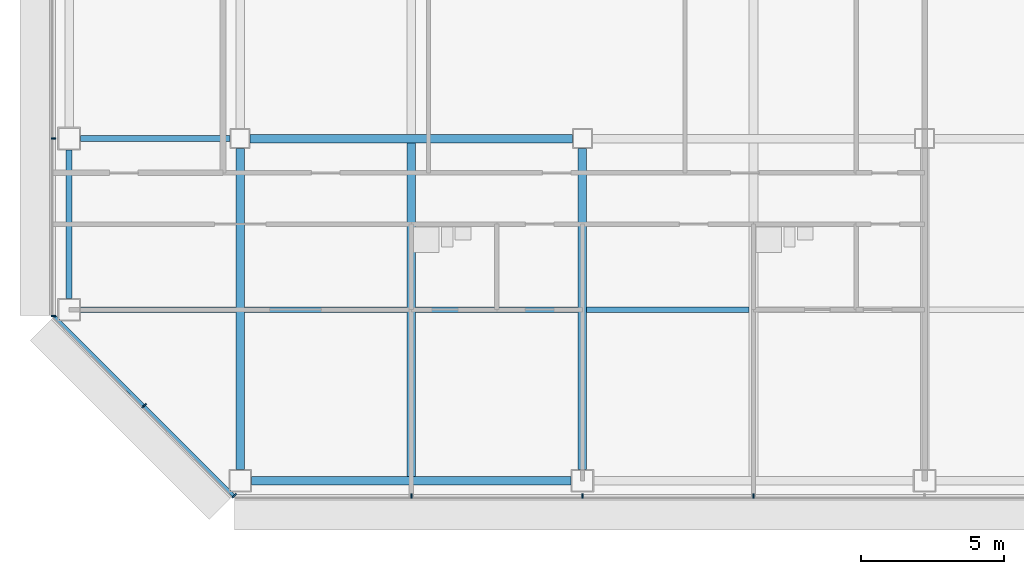
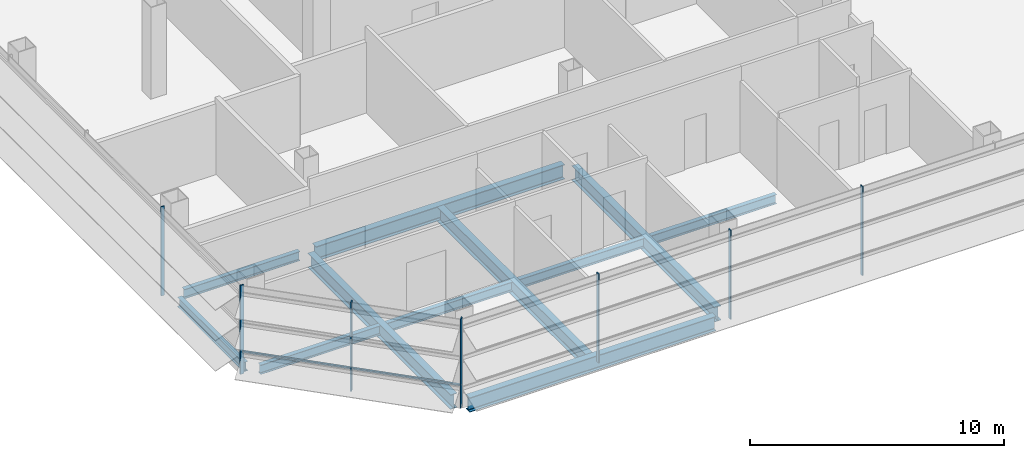
# One storey, part 2 of 28: 11 beams, 8 members, 3 elements without a shape of their own.
"""IFC4 building model written with IfcOpenShell, lengths in metres."""

from ifc_helpers import new_model, si_unit, direction, frame, origin, origin_2d, place, context, subcontext, project, spatial, rectangle, i_section, extrude, material, material_profile, profile_set, type_object, element, aggregate, save


model = new_model("IFC4")

# Units and contexts
model_context = context("Model", 3, precision=1e-05, world=origin(), true_north=direction((0.0, 1.0)))
body_context = subcontext(model_context, "Body", "Model", "MODEL_VIEW")
ifc_project = project(units=[si_unit("LENGTHUNIT", "METRE"), si_unit("AREAUNIT", "SQUARE_METRE"), si_unit("VOLUMEUNIT", "CUBIC_METRE"), si_unit("PLANEANGLEUNIT", "RADIAN"), si_unit("MASSUNIT", "GRAM", prefix="KILO")], contexts=[model_context])

# Site, building, storey
site_placement = place(None, origin())
site = spatial("IfcSite", under=ifc_project, at=site_placement, CompositionType="ELEMENT")
building_placement = place(site_placement, origin())
building = spatial("IfcBuilding", under=site, at=building_placement, Name="Sorahane Residences", CompositionType="ELEMENT")
storey_placement = place(building_placement, frame((0.0, 0.0, 134.0)))
storey = spatial("IfcBuildingStorey", under=building, at=storey_placement, Name="L30", CompositionType="ELEMENT", Elevation=134.0)

# Curtain wall, members
ifc_material_1 = material(Name="Dark low-e glass and black anodised aluminium", Category="aluminium")
curtain_wall_type_1 = type_object("IfcCurtainWallType", Name="Curtain wall CW-1 Typical unitised wall", PredefinedType="NOTDEFINED", material=ifc_material_1)
curtain_wall_1_placement = place(storey_placement, origin())
curtain_wall_1 = element("IfcCurtainWall", 1, at=curtain_wall_1_placement, inside=storey, type_object=curtain_wall_type_1, Name="CW-1 curtain wall L30 S1", PredefinedType="NOTDEFINED")
ifc_material_2 = material(Name="Black anodised aluminium", Category="aluminium")
ifc_material_profile_1 = material_profile(ifc_material_2, rectangle(XDim=0.159912109375, YDim=0.050048828125, at=origin_2d()), Name="Curtain wall mullion CW-1 black anodised aluminium 50x160")
ifc_profile_set_1 = profile_set([ifc_material_profile_1], Name="Black anodised aluminium")
member_type_1 = type_object("IfcMemberType", Name="Curtain wall mullion CW-1 black anodised aluminium 50x160", PredefinedType="MULLION", material=ifc_profile_set_1)
member_1_placement = place(storey_placement, frame((6.0, -0.5400390625, -0.179931640625), z_axis=(0.0, 0.0, 1.0), x_axis=(0.0, -1.0, 0.0)))
member_1 = element("IfcMember", 2, at=member_1_placement, type_object=member_type_1, Name="CW-1 mullion L30 S1.2", PredefinedType="MULLION", context=body_context, shape_type="SweptSolid", body=[
    extrude(rectangle(XDim=0.159912109375, YDim=0.050048828125, at=origin_2d()), origin(), (0.0, 0.0, 1.0), 4.280029296875),
])
member_2_placement = place(storey_placement, frame((12.0, -0.5400390625, -0.179931640625), z_axis=(0.0, 0.0, 1.0), x_axis=(0.0, -1.0, 0.0)))
member_2 = element("IfcMember", 3, at=member_2_placement, type_object=member_type_1, Name="CW-1 mullion L30 S1.3", PredefinedType="MULLION", context=body_context, shape_type="SweptSolid", body=[
    extrude(rectangle(XDim=0.159912109375, YDim=0.050048828125, at=origin_2d()), origin(), (0.0, 0.0, 1.0), 4.280029296875),
])
member_3_placement = place(storey_placement, frame((18.0, -0.5400390625, -0.179931640625), z_axis=(0.0, 0.0, 1.0), x_axis=(0.0, -1.0, 0.0)))
member_3 = element("IfcMember", 4, at=member_3_placement, type_object=member_type_1, Name="CW-1 mullion L30 S1.4", PredefinedType="MULLION", context=body_context, shape_type="SweptSolid", body=[
    extrude(rectangle(XDim=0.159912109375, YDim=0.050048828125, at=origin_2d()), origin(), (0.0, 0.0, 1.0), 4.280029296875),
])
aggregate(curtain_wall_1, [member_1, member_2, member_3])

curtain_wall_2_placement = place(storey_placement, origin())
curtain_wall_2 = element("IfcCurtainWall", 5, at=curtain_wall_2_placement, inside=storey, type_object=curtain_wall_type_1, Name="CW-1 curtain wall L30 W1", PredefinedType="NOTDEFINED")
member_4_placement = place(storey_placement, frame((-6.5400390625, 12.0, -0.179931640625), z_axis=(0.0, 0.0, 1.0), x_axis=(-1.0, 0.0, 0.0)))
member_4 = element("IfcMember", 6, at=member_4_placement, type_object=member_type_1, Name="CW-1 mullion L30 W1.6", PredefinedType="MULLION", context=body_context, shape_type="SweptSolid", body=[
    extrude(rectangle(XDim=0.159912109375, YDim=0.050048828125, at=origin_2d()), origin(), (0.0, 0.0, 1.0), 4.280029296875),
])
member_5_placement = place(storey_placement, frame((-6.5400390625, 5.7763671875, -0.179931640625), z_axis=(0.0, 0.0, 1.0), x_axis=(-1.0, 0.0, 0.0)))
member_5 = element("IfcMember", 7, at=member_5_placement, type_object=member_type_1, Name="CW-1 mullion L30 W1.7", PredefinedType="MULLION", context=body_context, shape_type="SweptSolid", body=[
    extrude(rectangle(XDim=0.159912109375, YDim=0.050048828125, at=origin_2d()), origin(), (0.0, 0.0, 1.0), 4.280029296875),
])
aggregate(curtain_wall_2, [member_4, member_5])

ifc_material_3 = material(Name="Dark low-e glass and black anodised aluminium", Category="aluminium")
curtain_wall_type_2 = type_object("IfcCurtainWallType", Name="Curtain wall CW-2 Chamfer unitised wall", PredefinedType="NOTDEFINED", material=ifc_material_3)
curtain_wall_3_placement = place(storey_placement, origin())
curtain_wall_3 = element("IfcCurtainWall", 8, at=curtain_wall_3_placement, inside=storey, type_object=curtain_wall_type_2, Name="CW-2 curtain wall L30 SW1", PredefinedType="NOTDEFINED")
ifc_material_4 = material(Name="Black anodised aluminium", Category="aluminium")
ifc_material_profile_2 = material_profile(ifc_material_4, rectangle(XDim=0.199951171875, YDim=0.050048828125, at=origin_2d()), Name="Curtain wall mullion CW-2 black anodised aluminium 50x200")
ifc_profile_set_2 = profile_set([ifc_material_profile_2], Name="Black anodised aluminium")
member_type_2 = type_object("IfcMemberType", Name="Curtain wall mullion CW-2 black anodised aluminium 50x200", PredefinedType="MULLION", material=ifc_profile_set_2)
member_6_placement = place(storey_placement, frame((-3.36767578125, 2.63232421875, -0.179931640625), z_axis=(0.0, 0.0, 1.0), x_axis=(-0.707106781187, -0.707106781187, 0.0)))
member_6 = element("IfcMember", 9, at=member_6_placement, type_object=member_type_2, Name="CW-2 mullion L30 SW1.2", PredefinedType="MULLION", context=body_context, shape_type="SweptSolid", body=[
    extrude(rectangle(XDim=0.199951171875, YDim=0.050048828125, at=origin_2d()), origin(), (0.0, 0.0, 1.0), 4.280029296875),
])
member_7_placement = place(storey_placement, frame((-0.209716796875, -0.525634765625, -0.179931640625), z_axis=(0.0, 0.0, 1.0), x_axis=(-0.707106781187, -0.707106781187, 0.0)))
member_7 = element("IfcMember", 10, at=member_7_placement, type_object=member_type_2, Name="CW-2 mullion L30 SW1.3", PredefinedType="MULLION", context=body_context, shape_type="SweptSolid", body=[
    extrude(rectangle(XDim=0.199951171875, YDim=0.050048828125, at=origin_2d()), origin(), (0.0, 0.0, 1.0), 4.280029296875),
])
ifc_material_5 = material(Name="Black anodised aluminium", Category="aluminium")
ifc_material_profile_3 = material_profile(ifc_material_5, rectangle(XDim=0.10009765625, YDim=0.06005859375, at=origin_2d()), Name="Curtain wall transom CW-2 black anodised aluminium 60x100")
ifc_profile_set_3 = profile_set([ifc_material_profile_3], Name="Black anodised aluminium")
member_type_3 = type_object("IfcMemberType", Name="Curtain wall transom CW-2 black anodised aluminium 60x100", PredefinedType="USERDEFINED", material=ifc_profile_set_3)
member_8_placement = place(storey_placement, frame((-6.51513671875, 5.765625, 0.89990234375), z_axis=(0.707106781187, -0.707106781187, 0.0), x_axis=(0.707106781187, 0.707106781187, 0.0)))
member_8 = element("IfcMember", 11, at=member_8_placement, type_object=member_type_3, Name="CW-2 transom L30 SW1", ObjectType="TRANSOM", PredefinedType="USERDEFINED", context=body_context, shape_type="SweptSolid", body=[
    extrude(rectangle(XDim=0.10009765625, YDim=0.06005859375, at=origin_2d()), origin(), (0.0, 0.0, 1.0), 8.88232421875),
])
aggregate(curtain_wall_3, [member_6, member_7, member_8])

# Beams
ifc_material_6 = material(Name="Steel Q355B", Category="steel")
ifc_material_profile_4 = material_profile(ifc_material_6, i_section(OverallWidth=0.199951171875, OverallDepth=0.449951171875, WebThickness=0.009033203125, FlangeThickness=0.013916015625, FilletRadius=0.02001953125, at=origin_2d()), Name="HN 450x200x9x14")
ifc_profile_set_4 = profile_set([ifc_material_profile_4], Name="Steel Q355B")
beam_type_1 = type_object("IfcBeamType", Name="Steel floor beam HN 450x200x9x14 Q355B", PredefinedType="BEAM", material=ifc_profile_set_4)
beam_1_placement = place(storey_placement, frame((-5.60009765625, 12.0, -0.405029296875), z_axis=(1.0, 0.0, 0.0), x_axis=(0.0, 1.0, 0.0)))
element("IfcBeam", 12, at=beam_1_placement, inside=storey, type_object=beam_type_1, Name="Beam L30 005", PredefinedType="BEAM", context=body_context, shape_type="SweptSolid", body=[
    extrude(i_section(OverallWidth=0.199951171875, OverallDepth=0.449951171875, WebThickness=0.009033203125, FlangeThickness=0.013916015625, FilletRadius=0.02001953125, at=origin_2d()), origin(), (0.0, 0.0, 1.0), 5.25),
])
beam_2_placement = place(storey_placement, frame((-6.0, 6.39990234375, -0.405029296875), z_axis=(0.0, 1.0, 0.0), x_axis=(-1.0, 0.0, 0.0)))
element("IfcBeam", 13, at=beam_2_placement, inside=storey, type_object=beam_type_1, Name="Beam L30 020", PredefinedType="BEAM", context=body_context, shape_type="SweptSolid", body=[
    extrude(i_section(OverallWidth=0.199951171875, OverallDepth=0.449951171875, WebThickness=0.009033203125, FlangeThickness=0.013916015625, FilletRadius=0.02001953125, at=origin_2d()), origin(), (0.0, 0.0, 1.0), 5.2001953125),
])
beam_3_placement = place(storey_placement, frame((-5.60009765625, 6.0, -0.405029296875), z_axis=(1.0, 0.0, 0.0), x_axis=(0.0, 1.0, 0.0)))
element("IfcBeam", 14, at=beam_3_placement, inside=storey, type_object=beam_type_1, Name="Beam L30 067", PredefinedType="BEAM", context=body_context, shape_type="SweptSolid", body=[
    extrude(i_section(OverallWidth=0.199951171875, OverallDepth=0.449951171875, WebThickness=0.009033203125, FlangeThickness=0.013916015625, FilletRadius=0.02001953125, at=origin_2d()), origin(), (0.0, 0.0, 1.0), 5.4501953125),
])
for number, where, z_axis, x_axis, name in (
    (15, (0.14990234375, 6.0, -0.405029296875), (1.0, 0.0, 0.0), (0.0, 1.0, 0.0), "Beam L30 068"),
    (16, (6.14990234375, 6.0, -0.405029296875), (1.0, 0.0, 0.0), (0.0, 1.0, 0.0), "Beam L30 069"),
    (17, (12.14990234375, 6.0, -0.405029296875), (1.0, 0.0, 0.0), (0.0, 1.0, 0.0), "Beam L30 070"),
):
    element("IfcBeam", number, at=place(storey_placement, frame(where, z_axis=z_axis, x_axis=x_axis)), inside=storey, type_object=beam_type_1, Name=name, PredefinedType="BEAM", context=body_context, shape_type="SweptSolid", body=[
        extrude(i_section(OverallWidth=0.199951171875, OverallDepth=0.449951171875, WebThickness=0.009033203125, FlangeThickness=0.013916015625, FilletRadius=0.02001953125, at=origin_2d()), origin(), (0.0, 0.0, 1.0), 5.7001953125),
    ])
ifc_material_7 = material(Name="Steel Q355B", Category="steel")
ifc_material_profile_5 = material_profile(ifc_material_7, i_section(OverallWidth=0.300048828125, OverallDepth=0.699951171875, WebThickness=0.012939453125, FlangeThickness=0.02392578125, FilletRadius=0.028076171875, at=origin_2d()), Name="HN 700x300x13x24")
ifc_profile_set_5 = profile_set([ifc_material_profile_5], Name="Steel Q355B")
beam_type_2 = type_object("IfcBeamType", Name="Steel floor beam HN 700x300x13x24 Q355B", PredefinedType="BEAM", material=ifc_profile_set_5)
beam_4_placement = place(storey_placement, frame((0.39990234375, 0.0, -0.530029296875), z_axis=(1.0, 0.0, 0.0), x_axis=(0.0, 1.0, 0.0)))
element("IfcBeam", 18, at=beam_4_placement, inside=storey, type_object=beam_type_2, Name="Beam L30 000", PredefinedType="BEAM", context=body_context, shape_type="SweptSolid", body=[
    extrude(i_section(OverallWidth=0.300048828125, OverallDepth=0.699951171875, WebThickness=0.012939453125, FlangeThickness=0.02392578125, FilletRadius=0.028076171875, at=origin_2d()), origin(), (0.0, 0.0, 1.0), 11.2001953125),
])
beam_5_placement = place(storey_placement, frame((0.35009765625, 12.0, -0.530029296875), z_axis=(1.0, 0.0, 0.0), x_axis=(0.0, 1.0, 0.0)))
element("IfcBeam", 19, at=beam_5_placement, inside=storey, type_object=beam_type_2, Name="Beam L30 006", PredefinedType="BEAM", context=body_context, shape_type="SweptSolid", body=[
    extrude(i_section(OverallWidth=0.300048828125, OverallDepth=0.699951171875, WebThickness=0.012939453125, FlangeThickness=0.02392578125, FilletRadius=0.028076171875, at=origin_2d()), origin(), (0.0, 0.0, 1.0), 11.2998046875),
])
beam_6_placement = place(storey_placement, frame((0.0, 0.39990234375, -0.530029296875), z_axis=(0.0, 1.0, 0.0), x_axis=(-1.0, 0.0, 0.0)))
element("IfcBeam", 20, at=beam_6_placement, inside=storey, type_object=beam_type_2, Name="Beam L30 024", PredefinedType="BEAM", context=body_context, shape_type="SweptSolid", body=[
    extrude(i_section(OverallWidth=0.300048828125, OverallDepth=0.699951171875, WebThickness=0.012939453125, FlangeThickness=0.02392578125, FilletRadius=0.028076171875, at=origin_2d()), origin(), (0.0, 0.0, 1.0), 11.25),
])
beam_7_placement = place(storey_placement, frame((6.0, 0.14990234375, -0.530029296875), z_axis=(0.0, 1.0, 0.0), x_axis=(-1.0, 0.0, 0.0)))
element("IfcBeam", 21, at=beam_7_placement, inside=storey, type_object=beam_type_2, Name="Beam L30 028", PredefinedType="BEAM", context=body_context, shape_type="SweptSolid", body=[
    extrude(i_section(OverallWidth=0.300048828125, OverallDepth=0.699951171875, WebThickness=0.012939453125, FlangeThickness=0.02392578125, FilletRadius=0.028076171875, at=origin_2d()), origin(), (0.0, 0.0, 1.0), 11.7001953125),
])
beam_8_placement = place(storey_placement, frame((12.0, 0.39990234375, -0.530029296875), z_axis=(0.0, 1.0, 0.0), x_axis=(-1.0, 0.0, 0.0)))
element("IfcBeam", 22, at=beam_8_placement, inside=storey, type_object=beam_type_2, Name="Beam L30 034", PredefinedType="BEAM", context=body_context, shape_type="SweptSolid", body=[
    extrude(i_section(OverallWidth=0.300048828125, OverallDepth=0.699951171875, WebThickness=0.012939453125, FlangeThickness=0.02392578125, FilletRadius=0.028076171875, at=origin_2d()), origin(), (0.0, 0.0, 1.0), 11.25),
])

save(model, "model.ifc")
